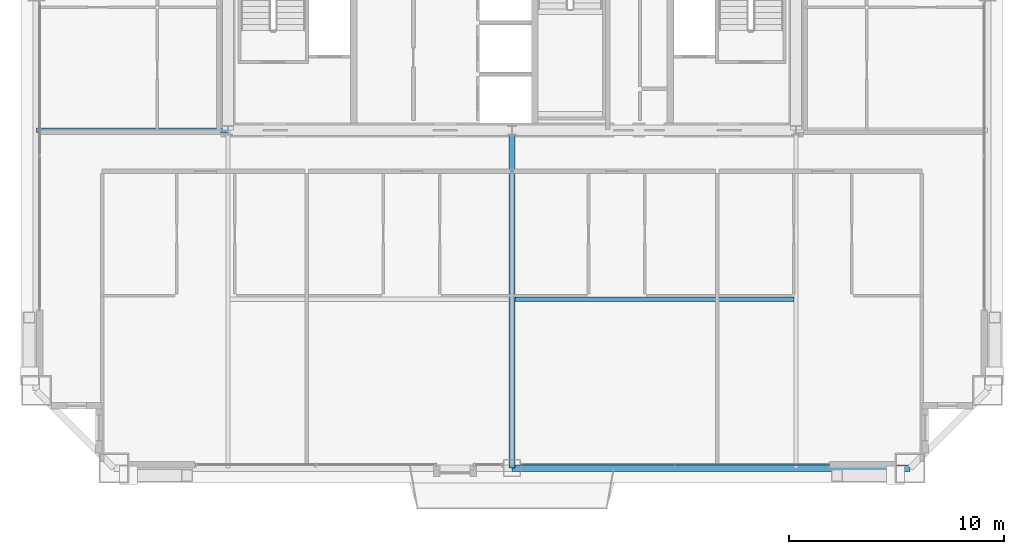
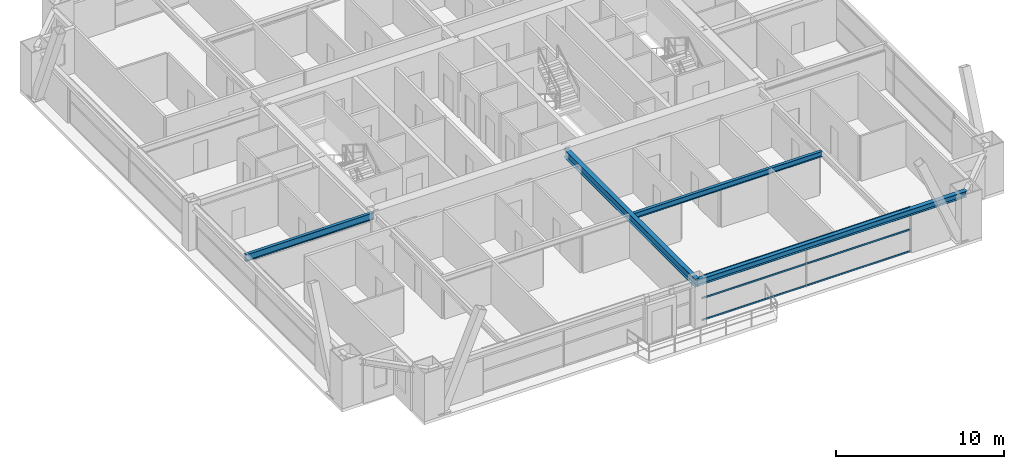
# One storey, part 12 of 42: 4 beams, 3 members, 1 element without a shape of its own.
"""IFC4 building model written with IfcOpenShell, lengths in metres."""

from ifc_helpers import new_model, si_unit, direction, frame, origin, origin_2d, place, context, subcontext, project, spatial, hollow_rectangle, i_section, extrude, source, transform, mapped, material, layer, layer_set, material_profile, profile_set, type_object, element, aggregate, save


model = new_model("IFC4")

# Units and contexts
model_context = context("Model", 3, precision=1e-05, world=origin(), true_north=direction((0.0, 1.0)))
body_context = subcontext(model_context, "Body", "Model", "MODEL_VIEW")
ifc_project = project(units=[si_unit("LENGTHUNIT", "METRE"), si_unit("AREAUNIT", "SQUARE_METRE"), si_unit("VOLUMEUNIT", "CUBIC_METRE"), si_unit("PLANEANGLEUNIT", "RADIAN"), si_unit("MASSUNIT", "GRAM", prefix="KILO"), si_unit("THERMODYNAMICTEMPERATUREUNIT", "KELVIN"), si_unit("POWERUNIT", "WATT")], contexts=[model_context])

# Site, building, storey
site_placement = place(None, origin())
site = spatial("IfcSite", under=ifc_project, at=site_placement, CompositionType="ELEMENT")
building_placement = place(site_placement, origin())
building = spatial("IfcBuilding", under=site, at=building_placement, Name="Yuzanri Waterfront Tower", CompositionType="ELEMENT")
storey_placement = place(building_placement, frame((0.0, 0.0, 184.5)))
storey = spatial("IfcBuildingStorey", under=building, at=storey_placement, Name="L48", CompositionType="ELEMENT", Elevation=184.5)

# Beams
ifc_material_1 = material(Name="Steel Q355B", Category="steel")
ifc_material_profile_1 = material_profile(ifc_material_1, i_section(OverallWidth=0.199951171875, OverallDepth=0.39990234375, WebThickness=0.008056640625, FlangeThickness=0.012939453125, at=origin_2d()), Name="HN 400x200x8x13")
ifc_profile_set_1 = profile_set([ifc_material_profile_1], Name="Steel Q355B")
beam_type_1 = type_object("IfcBeamType", Name="Floor Joist Q355B HN 400x200", PredefinedType="JOIST", material=ifc_profile_set_1)
shared_shape_1 = source(origin(), body_context, "Body", "SweptSolid", [
    extrude(i_section(OverallWidth=0.199951171875, OverallDepth=0.39990234375, WebThickness=0.008056640625, FlangeThickness=0.012939453125, at=origin_2d()), origin(), (0.0, 0.0, 1.0), 12.9501953125),
])
beam_1_placement = place(storey_placement, frame((37.14990234375, 11.550048828125, 3.080078125), z_axis=(1.0, 0.0, 0.0), x_axis=(0.0, 1.0, 0.0)))
element("IfcBeam", 1, at=beam_1_placement, inside=storey, type_object=beam_type_1, Name="L48 South Bay Joist E", PredefinedType="JOIST", context=body_context, shape_type="MappedRepresentation", body=[
    mapped(shared_shape_1, transform((0.0, 0.0, 0.0), scale=1.0)),
])
ifc_material_2 = material(Name="Steel Q355B", Category="steel")
ifc_material_profile_2 = material_profile(ifc_material_2, i_section(OverallWidth=0.300048828125, OverallDepth=0.43994140625, WebThickness=0.010986328125, FlangeThickness=0.01806640625, at=origin_2d()), Name="HM 440x300x11x18")
ifc_profile_set_2 = profile_set([ifc_material_profile_2], Name="Steel Q355B")
beam_type_2 = type_object("IfcBeamType", Name="Perimeter Spandrel Q355B HM 440x300", PredefinedType="SPANDREL", material=ifc_profile_set_2)
shared_shape_2 = source(origin(), body_context, "Body", "SweptSolid", [
    extrude(i_section(OverallWidth=0.300048828125, OverallDepth=0.43994140625, WebThickness=0.010986328125, FlangeThickness=0.01806640625, at=origin_2d()), origin(), (0.0, 0.0, 1.0), 18.5),
])
beam_2_placement = place(storey_placement, frame((37.0, 3.699951171875, 3.06005859375), z_axis=(1.0, 0.0, 0.0), x_axis=(0.0, 1.0, 0.0)))
element("IfcBeam", 2, at=beam_2_placement, inside=storey, type_object=beam_type_2, Name="L48 Perimeter Spandrel S2-S3", PredefinedType="SPANDREL", context=body_context, shape_type="MappedRepresentation", body=[
    mapped(shared_shape_2, transform((0.0, 0.0, 0.0), scale=1.0)),
])
ifc_material_3 = material(Name="Steel Q355B", Category="steel")
ifc_material_profile_3 = material_profile(ifc_material_3, i_section(OverallWidth=0.300048828125, OverallDepth=0.587890625, WebThickness=0.011962890625, FlangeThickness=0.02001953125, at=origin_2d()), Name="HM 588x300x12x20")
ifc_profile_set_3 = profile_set([ifc_material_profile_3], Name="Steel Q355B")
beam_type_3 = type_object("IfcBeamType", Name="Primary Floor Girder Q355B HM 588x300", PredefinedType="BEAM", material=ifc_profile_set_3)
shared_shape_3 = source(origin(), body_context, "Body", "SweptSolid", [
    extrude(i_section(OverallWidth=0.300048828125, OverallDepth=0.587890625, WebThickness=0.011962890625, FlangeThickness=0.02001953125, at=origin_2d()), origin(), (0.0, 0.0, 1.0), 15.699951171875),
])
beam_3_placement = place(storey_placement, frame((37.0, 19.39990234375, 2.986083984375), z_axis=(0.0, -1.0, 0.0), x_axis=(1.0, 0.0, 0.0)))
element("IfcBeam", 3, at=beam_3_placement, inside=storey, type_object=beam_type_3, Name="L48 South Grid Girder", PredefinedType="BEAM", context=body_context, shape_type="MappedRepresentation", body=[
    mapped(shared_shape_3, transform((0.0, 0.0, 0.0), scale=1.0)),
])
ifc_material_4 = material(Name="Steel Q355B", Category="steel")
ifc_material_profile_4 = material_profile(ifc_material_4, i_section(OverallWidth=0.199951171875, OverallDepth=0.5, WebThickness=0.010009765625, FlangeThickness=0.01611328125, at=origin_2d()), Name="HN 500x200x10x16")
ifc_profile_set_4 = profile_set([ifc_material_profile_4], Name="Steel Q355B")
beam_type_4 = type_object("IfcBeamType", Name="Secondary Floor Beam Q355B HN 500x200", PredefinedType="BEAM", material=ifc_profile_set_4)
shared_shape_4 = source(origin(), body_context, "Body", "SweptSolid", [
    extrude(i_section(OverallWidth=0.199951171875, OverallDepth=0.5, WebThickness=0.010009765625, FlangeThickness=0.01611328125, at=origin_2d()), origin(), (0.0, 0.0, 1.0), 8.900146484375),
])
beam_4_placement = place(storey_placement, frame((23.800048828125, 19.39990234375, 3.030029296875), z_axis=(-1.0, 0.0, 0.0), x_axis=(0.0, -1.0, 0.0)))
element("IfcBeam", 4, at=beam_4_placement, inside=storey, type_object=beam_type_4, Name="L48 West-South Core Line Beam", PredefinedType="BEAM", context=body_context, shape_type="MappedRepresentation", body=[
    mapped(shared_shape_4, transform((0.0, 0.0, 0.0), scale=1.0)),
])

# Curtain wall, members
ifc_material_5 = material(Name="Anodized Architectural Bronze", Category="metal")
ifc_layer = layer(ifc_material_5, 0.159912109375)
ifc_layer_set = layer_set([ifc_layer], Name="Anodized Architectural Bronze")
curtain_wall_type = type_object("IfcCurtainWallType", Name="Anodized Bronze Mid-Rise Residential Acoustic Unitized Curtain Wall 7200", PredefinedType="NOTDEFINED", material=ifc_layer_set)
curtain_wall_placement = place(storey_placement, origin())
curtain_wall = element("IfcCurtainWall", 5, at=curtain_wall_placement, inside=storey, type_object=curtain_wall_type, Name="L48 Curtain Wall CW-L48-SR", PredefinedType="NOTDEFINED")
ifc_material_6 = material(Name="Anodized Architectural Bronze", Category="metal")
ifc_material_profile_5 = material_profile(ifc_material_6, hollow_rectangle(XDim=0.06494140625, YDim=0.1201171875, WallThickness=0.00341796875, at=origin_2d()), Name="CWT 65x120")
ifc_profile_set_5 = profile_set([ifc_material_profile_5], Name="Anodized Architectural Bronze")
member_type = type_object("IfcMemberType", Name="Anodized Bronze Secondary Curtain-Wall Transom 65x120", PredefinedType="USERDEFINED", material=ifc_profile_set_5)
shared_shape_5 = source(origin(), body_context, "Body", "SweptSolid", [
    extrude(hollow_rectangle(XDim=0.06494140625, YDim=0.1201171875, WallThickness=0.00341796875, at=origin_2d()), origin(), (0.0, 0.0, 1.0), 14.35009765625),
])
member_1_placement = place(storey_placement, frame((37.39990234375, 3.85009765625, 0.050048828125), z_axis=(1.0, 0.0, 0.0), x_axis=(0.0, 1.0, 0.0)))
member_1 = element("IfcMember", 6, at=member_1_placement, type_object=member_type, Name="CW-L48-SR Transom 1", ObjectType="TRANSOM", PredefinedType="USERDEFINED", context=body_context, shape_type="MappedRepresentation", body=[
    mapped(shared_shape_5, transform((0.0, 0.0, 0.0), scale=1.0)),
])
member_2_placement = place(storey_placement, frame((37.39990234375, 3.85009765625, 1.639892578125), z_axis=(1.0, 0.0, 0.0), x_axis=(0.0, 1.0, 0.0)))
member_2 = element("IfcMember", 7, at=member_2_placement, type_object=member_type, Name="CW-L48-SR Transom 2", ObjectType="TRANSOM", PredefinedType="USERDEFINED", context=body_context, shape_type="MappedRepresentation", body=[
    mapped(shared_shape_5, transform((0.0, 0.0, 0.0), scale=1.0)),
])
member_3_placement = place(storey_placement, frame((37.39990234375, 3.85009765625, 3.22998046875), z_axis=(1.0, 0.0, 0.0), x_axis=(0.0, 1.0, 0.0)))
member_3 = element("IfcMember", 8, at=member_3_placement, type_object=member_type, Name="CW-L48-SR Transom 3", ObjectType="TRANSOM", PredefinedType="USERDEFINED", context=body_context, shape_type="MappedRepresentation", body=[
    mapped(shared_shape_5, transform((0.0, 0.0, 0.0), scale=1.0)),
])
aggregate(curtain_wall, [member_1, member_2, member_3])

save(model, "model.ifc")
